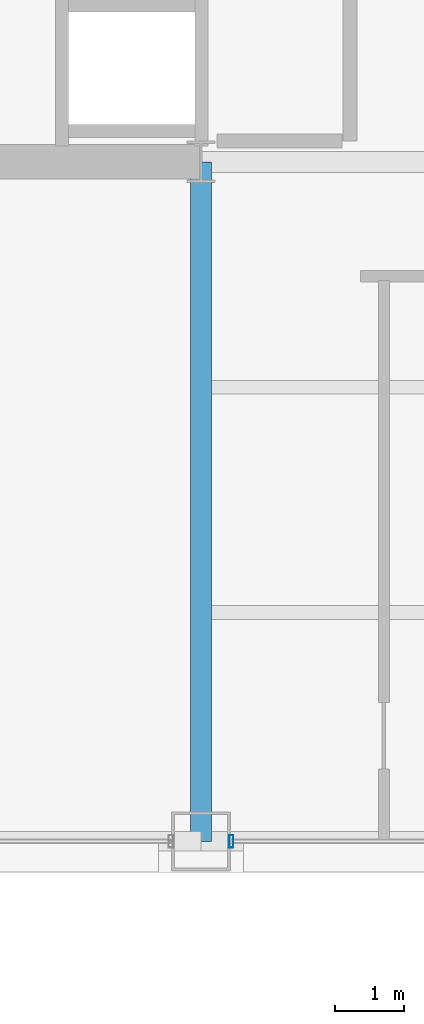
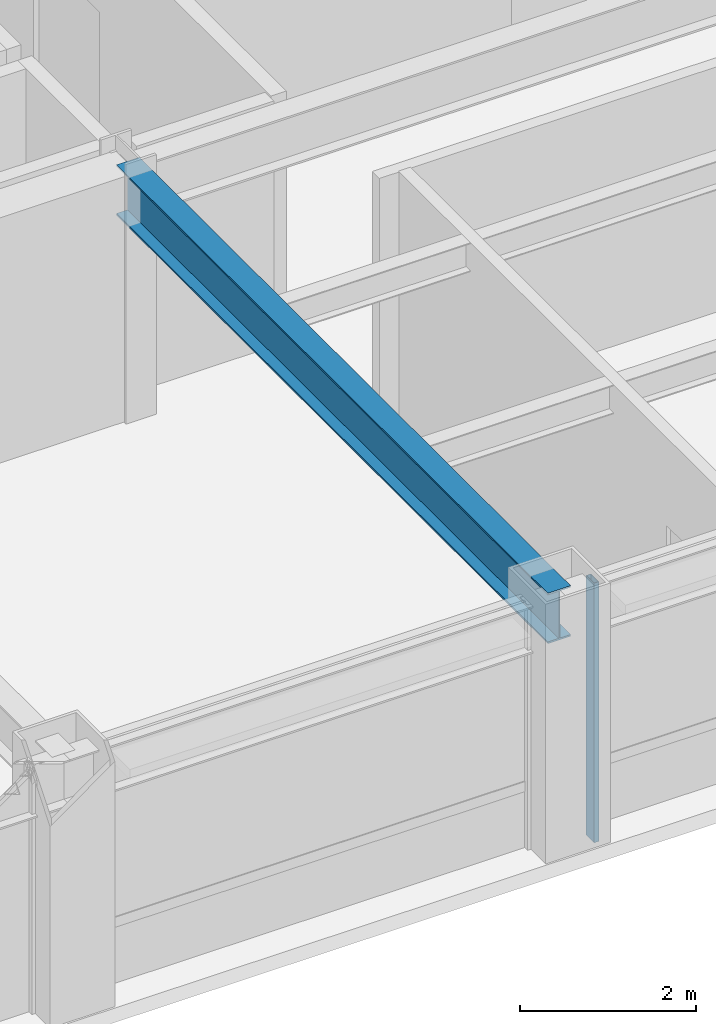
# One storey, part 5 of 31: 1 beam, 1 member, 1 element without a shape of its own.
"""IFC4 building model written with IfcOpenShell, lengths in metres."""

import ifcopenshell
import ifcopenshell.guid

model = None  # the IFC model being written
_history = None  # IfcOwnerHistory: only IFC2X3 demands one
_inside = {}  # id of a spatial element -> (the spatial element, [elements in it])
_under = {}  # id of a project, library or spatial element -> (it, [spatial elements below it])
_declared = {}  # id of a project -> (the project, [libraries it declares])
_typed = {}  # id of a type object -> (the type object, [elements of that type])
_made_of = {}  # id of a material, layer set ... -> (it, [elements and type objects made of it])


def new_model(schema):
    """Start an empty IFC model of exactly this schema.

    Asked for "IFC4X3", IfcOpenShell would pick the latest addendum, in which some entities
    have other attributes; the version numbers below select the first issue.
    IFC2X3 requires an IfcOwnerHistory on every rooted entity: one is made here for all.
    """
    global model, _history
    if schema == "IFC4X3":
        model = ifcopenshell.file(schema_version=(4, 3, 0, 0))
    else:
        model = ifcopenshell.file(schema=schema)
    _inside.clear()
    _under.clear()
    _declared.clear()
    _typed.clear()
    _made_of.clear()
    _history = None
    if model.schema == "IFC2X3":
        org = make("IfcOrganization", Name="unknown")
        user = make(
            "IfcPersonAndOrganization",
            ThePerson=make("IfcPerson", FamilyName="unknown"),
            TheOrganization=org,
        )
        app = make(
            "IfcApplication",
            ApplicationDeveloper=org,
            Version="unknown",
            ApplicationFullName="unknown",
            ApplicationIdentifier="unknown",
        )
        _history = make(
            "IfcOwnerHistory",
            OwningUser=user,
            OwningApplication=app,
            ChangeAction="ADDED",
            CreationDate=0,
        )
    return model


def make(cls, **values):
    """One entity of the class cls with the attributes given. An attribute that is None is left unset."""
    return model.create_entity(
        cls, **{name: value for name, value in values.items() if value is not None}
    )


def rooted(cls, **values):
    """An entity with a GlobalId (a new one), such as an element, a storey or a relation."""
    return make(cls, GlobalId=ifcopenshell.guid.new(), OwnerHistory=_history, **values)


def si_unit(unit_type, name, prefix=None):
    """IfcSIUnit, for example si_unit("LENGTHUNIT", "METRE", prefix="MILLI")."""
    return make("IfcSIUnit", UnitType=unit_type, Prefix=prefix, Name=name)


def assignment(units):
    """IfcUnitAssignment: the units of a project."""
    return None if units is None else make("IfcUnitAssignment", Units=units)


def point(xyz):
    """IfcCartesianPoint."""
    return None if xyz is None else make("IfcCartesianPoint", Coordinates=xyz)


def direction(xyz):
    """IfcDirection."""
    return None if xyz is None else make("IfcDirection", DirectionRatios=xyz)


def frame(location, z_axis=None, x_axis=None):
    """IfcAxis2Placement3D, a coordinate frame: its origin and axes. An axis left out is left unset."""
    return make(
        "IfcAxis2Placement3D",
        Location=point(location),
        Axis=direction(z_axis),
        RefDirection=direction(x_axis),
    )


def frame_2d(location, x_axis=None):
    """IfcAxis2Placement2D, a coordinate frame in the plane: its origin and x axis."""
    return make(
        "IfcAxis2Placement2D", Location=point(location), RefDirection=direction(x_axis)
    )


def origin():
    """The frame at (0, 0, 0) with its axes left unset."""
    return frame((0.0, 0.0, 0.0))


def origin_2d():
    """The frame at (0, 0) in the plane with its x axis left unset."""
    return frame_2d((0.0, 0.0))


def place(relative_to, where):
    """IfcLocalPlacement: puts the frame where relative to a parent placement (None: the world)."""
    return make(
        "IfcLocalPlacement", PlacementRelTo=relative_to, RelativePlacement=where
    )


def context(
    kind, dimensions, precision=None, world=None, true_north=None, identifier=None
):
    """IfcGeometricRepresentationContext, for example the 3D "Model" context."""
    return make(
        "IfcGeometricRepresentationContext",
        ContextIdentifier=identifier,
        ContextType=kind,
        CoordinateSpaceDimension=dimensions,
        Precision=precision,
        WorldCoordinateSystem=world,
        TrueNorth=true_north,
    )


def subcontext(parent, identifier, kind, view, scale=None):
    """IfcGeometricRepresentationSubContext, for example "Body" below "Model"."""
    return make(
        "IfcGeometricRepresentationSubContext",
        ContextIdentifier=identifier,
        ContextType=kind,
        ParentContext=parent,
        TargetScale=scale,
        TargetView=view,
    )


def project(units=None, contexts=None):
    """IfcProject with its units and contexts."""
    return rooted(
        "IfcProject",
        Name="project",
        RepresentationContexts=contexts,
        UnitsInContext=assignment(units),
    )


def spatial(cls, under=None, at=None, **own):
    """A site, building, storey or space (cls), placed at a placement, below another one or the project."""
    s = rooted(cls, ObjectPlacement=at, **own)
    if under is not None:
        _under.setdefault(under.id(), (under, []))[1].append(s)
    return s


def profile(cls, at=None, kind="AREA", **sizes):
    """A parametric profile (cls). Its sizes go by their IFC names, for example OverallWidth=200.0."""
    return make(cls, ProfileType=kind, Position=at, **sizes)


def hollow_rectangle(**sizes):
    """IfcRectangleHollowProfileDef."""
    return profile("IfcRectangleHollowProfileDef", **sizes)


def i_section(**sizes):
    """IfcIShapeProfileDef."""
    return profile("IfcIShapeProfileDef", **sizes)


def extrude(swept, where, along, depth):
    """IfcExtrudedAreaSolid: the profile swept, set in the frame where, extruded along a direction by depth."""
    return make(
        "IfcExtrudedAreaSolid",
        SweptArea=swept,
        Position=where,
        ExtrudedDirection=direction(along),
        Depth=depth,
    )


def shape(context_of_items, identifier, shape_type, items):
    """IfcShapeRepresentation: the items that make up one representation, for example the "Body"."""
    return make(
        "IfcShapeRepresentation",
        ContextOfItems=context_of_items,
        RepresentationIdentifier=identifier,
        RepresentationType=shape_type,
        Items=items,
    )


def material(Name=None, Category=None):
    """IfcMaterial."""
    return make("IfcMaterial", Name=Name, Category=Category)


def layer(
    of_material, thickness, ventilated=None, Name=None, Category=None, Priority=None
):
    """IfcMaterialLayer: one layer of a wall or slab, of a material (None: an air gap)."""
    return make(
        "IfcMaterialLayer",
        Material=of_material,
        LayerThickness=thickness,
        IsVentilated=ventilated,
        Name=Name,
        Category=Category,
        Priority=Priority,
    )


def layer_set(layers, Name=None):
    """IfcMaterialLayerSet."""
    return make("IfcMaterialLayerSet", MaterialLayers=layers, LayerSetName=Name)


def material_profile(
    of_material, cross_section, Name=None, Category=None, Priority=None
):
    """IfcMaterialProfile: a cross section and its material."""
    return make(
        "IfcMaterialProfile",
        Name=Name,
        Material=of_material,
        Profile=cross_section,
        Priority=Priority,
        Category=Category,
    )


def profile_set(profiles, Name=None, composite=None):
    """IfcMaterialProfileSet."""
    return make(
        "IfcMaterialProfileSet",
        Name=Name,
        MaterialProfiles=profiles,
        CompositeProfile=composite,
    )


def made_of(thing, what):
    """Note that an element or type object is made of a material, layer set ...; save() writes the relation."""
    if what is not None:
        _made_of.setdefault(what.id(), (what, []))[1].append(thing)
    return thing


def type_object(cls, material=None, **own):
    """A type object (cls), such as IfcWallType, which elements share."""
    return made_of(rooted(cls, **own), material)


def element(
    cls,
    number,
    at=None,
    inside=None,
    cuts=None,
    type_object=None,
    material=None,
    context=None,
    identifier="Body",
    shape_type=None,
    held_by="IfcProductDefinitionShape",
    body=None,
    shapes=None,
    **own,
):
    """One element of the class cls, such as IfcWall. Its Tag is "e" and its number.

    at: its placement. inside: the storey or other place that contains it. cuts: it is an
    opening in that element (IfcRelVoidsElement). A single representation is given by context,
    identifier, shape_type and body (its items); several are given by shapes. held_by: the class
    of the entity that holds the representations. save() writes the other relations.
    """
    e = rooted(cls, Tag="e%d" % number, ObjectPlacement=at, **own)
    if body is not None:
        shapes = [shape(context, identifier, shape_type, body)]
    if shapes is not None:
        e.Representation = make(held_by, Representations=shapes)
    if inside is not None:
        _inside.setdefault(inside.id(), (inside, []))[1].append(e)
    if cuts is not None:
        rooted(
            "IfcRelVoidsElement", RelatingBuildingElement=cuts, RelatedOpeningElement=e
        )
    if type_object is not None:
        _typed.setdefault(type_object.id(), (type_object, []))[1].append(e)
    return made_of(e, material)


def aggregate(whole, parts):
    """IfcRelAggregates: a whole, such as a stair, and the parts it consists of."""
    return rooted("IfcRelAggregates", RelatingObject=whole, RelatedObjects=parts)


def save(model, path):
    """Write the relations noted so far, then the file.

    IfcRelAggregates (storeys below a building ...), IfcRelContainedInSpatialStructure (elements
    in a storey), IfcRelDefinesByType, IfcRelAssociatesMaterial and IfcRelDeclares: one each for
    every whole, place, type object, material and project.
    """
    for whole, parts in _under.values():
        aggregate(whole, parts)
    for where, things in _inside.values():
        rooted(
            "IfcRelContainedInSpatialStructure",
            RelatedElements=things,
            RelatingStructure=where,
        )
    for kind, things in _typed.values():
        rooted("IfcRelDefinesByType", RelatedObjects=things, RelatingType=kind)
    for what, things in _made_of.values():
        rooted("IfcRelAssociatesMaterial", RelatedObjects=things, RelatingMaterial=what)
    for by, libraries in _declared.values():
        rooted("IfcRelDeclares", RelatingContext=by, RelatedDefinitions=libraries)
    model.write(path)


model = new_model("IFC4")

# Units and contexts
model_context = context("Model", 3, precision=1e-05, world=origin(), true_north=direction((0.0, 1.0)))
body_context = subcontext(model_context, "Body", "Model", "MODEL_VIEW")
ifc_project = project(units=[si_unit("LENGTHUNIT", "METRE"), si_unit("AREAUNIT", "SQUARE_METRE"), si_unit("VOLUMEUNIT", "CUBIC_METRE"), si_unit("PLANEANGLEUNIT", "RADIAN"), si_unit("MASSUNIT", "GRAM", prefix="KILO")], contexts=[model_context])

# Site, building, storey
site_placement = place(None, origin())
site = spatial("IfcSite", under=ifc_project, at=site_placement, CompositionType="ELEMENT")
building_placement = place(site_placement, origin())
building = spatial("IfcBuilding", under=site, at=building_placement, Name="Brelmoor Portico Tower", CompositionType="ELEMENT")
storey_placement = place(building_placement, frame((0.0, 0.0, 106.199951171875)))
storey = spatial("IfcBuildingStorey", under=building, at=storey_placement, Name="L27", CompositionType="ELEMENT", Elevation=106.199951171875)

# Beam
ifc_material_1 = material(Name="Steel Q355B", Category="steel")
ifc_material_profile_1 = material_profile(ifc_material_1, i_section(OverallWidth=0.300048828125, OverallDepth=0.699951171875, WebThickness=0.012939453125, FlangeThickness=0.02392578125, at=origin_2d()), Name="HN 700x300x13x24")
ifc_profile_set_1 = profile_set([ifc_material_profile_1], Name="Steel Q355B")
beam_type = type_object("IfcBeamType", Name="BM-PG-700", PredefinedType="BEAM", material=ifc_profile_set_1)
beam_placement = place(storey_placement, frame((-8.050048828125, -19.550048828125, 3.050048828125), z_axis=(0.0, 1.0, 0.0), x_axis=(-1.0, 0.0, 0.0)))
element("IfcBeam", 1, at=beam_placement, inside=storey, type_object=beam_type, Name="L27 Primary Floor Girder PG-05", PredefinedType="BEAM", context=body_context, shape_type="SweptSolid", body=[
    extrude(i_section(OverallWidth=0.300048828125, OverallDepth=0.699951171875, WebThickness=0.012939453125, FlangeThickness=0.02392578125, at=origin_2d()), origin(), (0.0, 0.0, 1.0), 9.800048828125),
])

# Curtain wall, member
ifc_material_2 = material(Name="Anodised Aluminium Alloy 6063-T6", Category="aluminium")
ifc_layer = layer(ifc_material_2, 0.179931640625)
ifc_layer_set = layer_set([ifc_layer], Name="Anodised Aluminium Alloy 6063-T6")
curtain_wall_type = type_object("IfcCurtainWallType", Name="CW-TOWER-Z2", PredefinedType="NOTDEFINED", material=ifc_layer_set)
curtain_wall_placement = place(storey_placement, origin())
curtain_wall = element("IfcCurtainWall", 2, at=curtain_wall_placement, inside=storey, type_object=curtain_wall_type, Name="L27 Curtain Wall CW-L27-1L-3", PredefinedType="NOTDEFINED")
ifc_material_profile_2 = material_profile(ifc_material_2, hollow_rectangle(XDim=0.06494140625, YDim=0.179931640625, WallThickness=0.00390625, at=origin_2d()), Name="ALU MULLION 65x180")
ifc_profile_set_2 = profile_set([ifc_material_profile_2], Name="Anodised Aluminium Alloy 6063-T6")
member_type = type_object("IfcMemberType", Name="MB-CW-MULL-180", PredefinedType="MULLION", material=ifc_profile_set_2)
member_placement = place(storey_placement, frame((-7.614990234375, -19.550048828125, -0.199951171875), z_axis=(0.0, 0.0, 1.0), x_axis=(1.0, 0.0, 0.0)))
member = element("IfcMember", 3, at=member_placement, type_object=member_type, Name="CW-L27-1L-3 Mullion 00", PredefinedType="MULLION", context=body_context, shape_type="SweptSolid", body=[
    extrude(hollow_rectangle(XDim=0.06494140625, YDim=0.179931640625, WallThickness=0.00390625, at=origin_2d()), origin(), (0.0, 0.0, 1.0), 3.60009765625),
])
aggregate(curtain_wall, [member])

save(model, "model.ifc")
